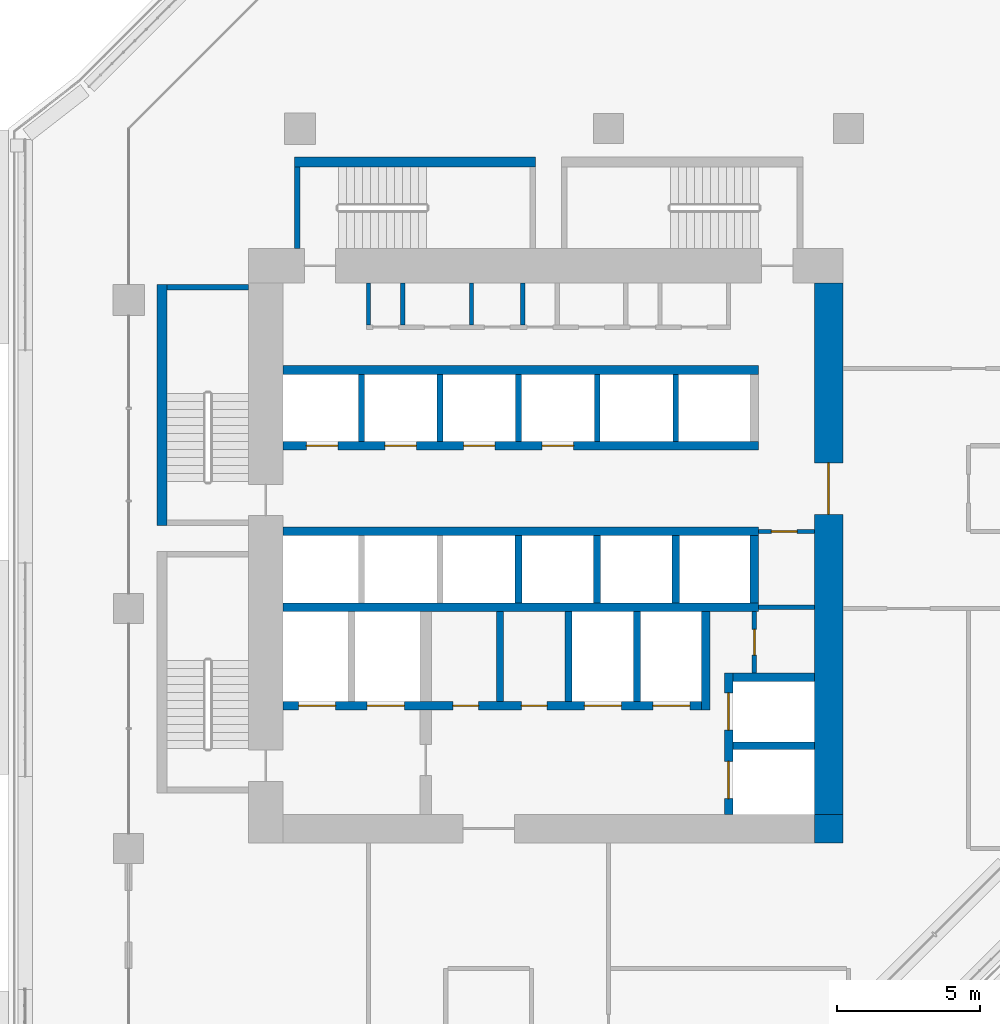
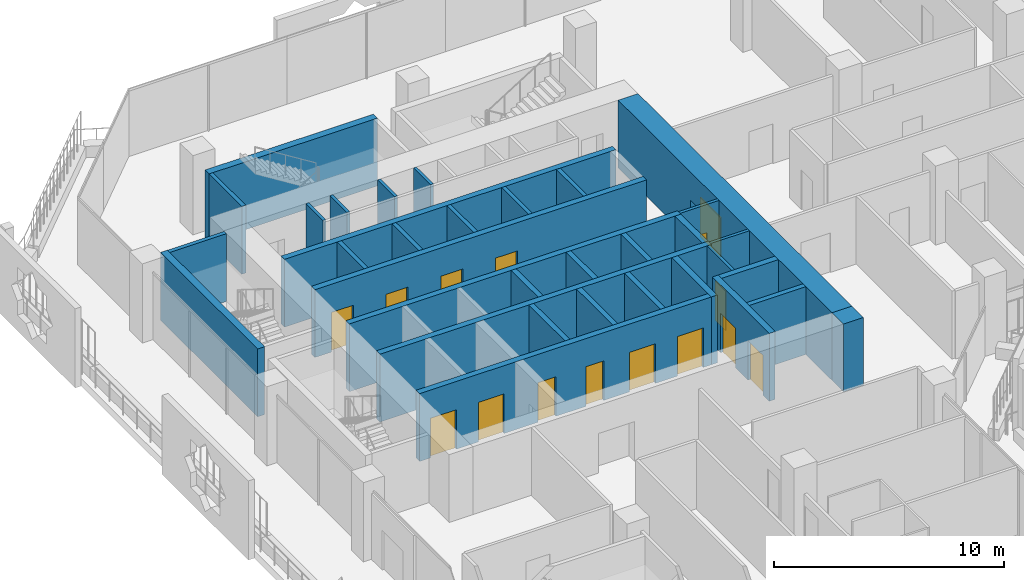
# One storey, part 14 of 25: 34 walls, 15 doors, 15 openings.
"""IFC4 building model written with IfcOpenShell, lengths in metres."""

import ifcopenshell
import ifcopenshell.guid

model = None  # the IFC model being written
_history = None  # IfcOwnerHistory: only IFC2X3 demands one
_inside = {}  # id of a spatial element -> (the spatial element, [elements in it])
_under = {}  # id of a project, library or spatial element -> (it, [spatial elements below it])
_declared = {}  # id of a project -> (the project, [libraries it declares])
_typed = {}  # id of a type object -> (the type object, [elements of that type])
_made_of = {}  # id of a material, layer set ... -> (it, [elements and type objects made of it])


def new_model(schema):
    """Start an empty IFC model of exactly this schema.

    Asked for "IFC4X3", IfcOpenShell would pick the latest addendum, in which some entities
    have other attributes; the version numbers below select the first issue.
    IFC2X3 requires an IfcOwnerHistory on every rooted entity: one is made here for all.
    """
    global model, _history
    if schema == "IFC4X3":
        model = ifcopenshell.file(schema_version=(4, 3, 0, 0))
    else:
        model = ifcopenshell.file(schema=schema)
    _inside.clear()
    _under.clear()
    _declared.clear()
    _typed.clear()
    _made_of.clear()
    _history = None
    if model.schema == "IFC2X3":
        org = make("IfcOrganization", Name="unknown")
        user = make(
            "IfcPersonAndOrganization",
            ThePerson=make("IfcPerson", FamilyName="unknown"),
            TheOrganization=org,
        )
        app = make(
            "IfcApplication",
            ApplicationDeveloper=org,
            Version="unknown",
            ApplicationFullName="unknown",
            ApplicationIdentifier="unknown",
        )
        _history = make(
            "IfcOwnerHistory",
            OwningUser=user,
            OwningApplication=app,
            ChangeAction="ADDED",
            CreationDate=0,
        )
    return model


def make(cls, **values):
    """One entity of the class cls with the attributes given. An attribute that is None is left unset."""
    return model.create_entity(
        cls, **{name: value for name, value in values.items() if value is not None}
    )


def rooted(cls, **values):
    """An entity with a GlobalId (a new one), such as an element, a storey or a relation."""
    return make(cls, GlobalId=ifcopenshell.guid.new(), OwnerHistory=_history, **values)


def si_unit(unit_type, name, prefix=None):
    """IfcSIUnit, for example si_unit("LENGTHUNIT", "METRE", prefix="MILLI")."""
    return make("IfcSIUnit", UnitType=unit_type, Prefix=prefix, Name=name)


def assignment(units):
    """IfcUnitAssignment: the units of a project."""
    return None if units is None else make("IfcUnitAssignment", Units=units)


def point(xyz):
    """IfcCartesianPoint."""
    return None if xyz is None else make("IfcCartesianPoint", Coordinates=xyz)


def direction(xyz):
    """IfcDirection."""
    return None if xyz is None else make("IfcDirection", DirectionRatios=xyz)


def frame(location, z_axis=None, x_axis=None):
    """IfcAxis2Placement3D, a coordinate frame: its origin and axes. An axis left out is left unset."""
    return make(
        "IfcAxis2Placement3D",
        Location=point(location),
        Axis=direction(z_axis),
        RefDirection=direction(x_axis),
    )


def frame_2d(location, x_axis=None):
    """IfcAxis2Placement2D, a coordinate frame in the plane: its origin and x axis."""
    return make(
        "IfcAxis2Placement2D", Location=point(location), RefDirection=direction(x_axis)
    )


def origin():
    """The frame at (0, 0, 0) with its axes left unset."""
    return frame((0.0, 0.0, 0.0))


def place(relative_to, where):
    """IfcLocalPlacement: puts the frame where relative to a parent placement (None: the world)."""
    return make(
        "IfcLocalPlacement", PlacementRelTo=relative_to, RelativePlacement=where
    )


def context(
    kind, dimensions, precision=None, world=None, true_north=None, identifier=None
):
    """IfcGeometricRepresentationContext, for example the 3D "Model" context."""
    return make(
        "IfcGeometricRepresentationContext",
        ContextIdentifier=identifier,
        ContextType=kind,
        CoordinateSpaceDimension=dimensions,
        Precision=precision,
        WorldCoordinateSystem=world,
        TrueNorth=true_north,
    )


def subcontext(parent, identifier, kind, view, scale=None):
    """IfcGeometricRepresentationSubContext, for example "Body" below "Model"."""
    return make(
        "IfcGeometricRepresentationSubContext",
        ContextIdentifier=identifier,
        ContextType=kind,
        ParentContext=parent,
        TargetScale=scale,
        TargetView=view,
    )


def project(units=None, contexts=None):
    """IfcProject with its units and contexts."""
    return rooted(
        "IfcProject",
        Name="project",
        RepresentationContexts=contexts,
        UnitsInContext=assignment(units),
    )


def spatial(cls, under=None, at=None, **own):
    """A site, building, storey or space (cls), placed at a placement, below another one or the project."""
    s = rooted(cls, ObjectPlacement=at, **own)
    if under is not None:
        _under.setdefault(under.id(), (under, []))[1].append(s)
    return s


def profile(cls, at=None, kind="AREA", **sizes):
    """A parametric profile (cls). Its sizes go by their IFC names, for example OverallWidth=200.0."""
    return make(cls, ProfileType=kind, Position=at, **sizes)


def rectangle(**sizes):
    """IfcRectangleProfileDef."""
    return profile("IfcRectangleProfileDef", **sizes)


def extrude(swept, where, along, depth):
    """IfcExtrudedAreaSolid: the profile swept, set in the frame where, extruded along a direction by depth."""
    return make(
        "IfcExtrudedAreaSolid",
        SweptArea=swept,
        Position=where,
        ExtrudedDirection=direction(along),
        Depth=depth,
    )


def shape(context_of_items, identifier, shape_type, items):
    """IfcShapeRepresentation: the items that make up one representation, for example the "Body"."""
    return make(
        "IfcShapeRepresentation",
        ContextOfItems=context_of_items,
        RepresentationIdentifier=identifier,
        RepresentationType=shape_type,
        Items=items,
    )


def material(Name=None, Category=None):
    """IfcMaterial."""
    return make("IfcMaterial", Name=Name, Category=Category)


def layer(
    of_material, thickness, ventilated=None, Name=None, Category=None, Priority=None
):
    """IfcMaterialLayer: one layer of a wall or slab, of a material (None: an air gap)."""
    return make(
        "IfcMaterialLayer",
        Material=of_material,
        LayerThickness=thickness,
        IsVentilated=ventilated,
        Name=Name,
        Category=Category,
        Priority=Priority,
    )


def layer_set(layers, Name=None):
    """IfcMaterialLayerSet."""
    return make("IfcMaterialLayerSet", MaterialLayers=layers, LayerSetName=Name)


def made_of(thing, what):
    """Note that an element or type object is made of a material, layer set ...; save() writes the relation."""
    if what is not None:
        _made_of.setdefault(what.id(), (what, []))[1].append(thing)
    return thing


def type_object(cls, material=None, **own):
    """A type object (cls), such as IfcWallType, which elements share."""
    return made_of(rooted(cls, **own), material)


def element(
    cls,
    number,
    at=None,
    inside=None,
    cuts=None,
    type_object=None,
    material=None,
    context=None,
    identifier="Body",
    shape_type=None,
    held_by="IfcProductDefinitionShape",
    body=None,
    shapes=None,
    **own,
):
    """One element of the class cls, such as IfcWall. Its Tag is "e" and its number.

    at: its placement. inside: the storey or other place that contains it. cuts: it is an
    opening in that element (IfcRelVoidsElement). A single representation is given by context,
    identifier, shape_type and body (its items); several are given by shapes. held_by: the class
    of the entity that holds the representations. save() writes the other relations.
    """
    e = rooted(cls, Tag="e%d" % number, ObjectPlacement=at, **own)
    if body is not None:
        shapes = [shape(context, identifier, shape_type, body)]
    if shapes is not None:
        e.Representation = make(held_by, Representations=shapes)
    if inside is not None:
        _inside.setdefault(inside.id(), (inside, []))[1].append(e)
    if cuts is not None:
        rooted(
            "IfcRelVoidsElement", RelatingBuildingElement=cuts, RelatedOpeningElement=e
        )
    if type_object is not None:
        _typed.setdefault(type_object.id(), (type_object, []))[1].append(e)
    return made_of(e, material)


def fill(opening, filler):
    """IfcRelFillsElement: the door or window that sits in an opening."""
    return rooted(
        "IfcRelFillsElement",
        RelatingOpeningElement=opening,
        RelatedBuildingElement=filler,
    )


def aggregate(whole, parts):
    """IfcRelAggregates: a whole, such as a stair, and the parts it consists of."""
    return rooted("IfcRelAggregates", RelatingObject=whole, RelatedObjects=parts)


def save(model, path):
    """Write the relations noted so far, then the file.

    IfcRelAggregates (storeys below a building ...), IfcRelContainedInSpatialStructure (elements
    in a storey), IfcRelDefinesByType, IfcRelAssociatesMaterial and IfcRelDeclares: one each for
    every whole, place, type object, material and project.
    """
    for whole, parts in _under.values():
        aggregate(whole, parts)
    for where, things in _inside.values():
        rooted(
            "IfcRelContainedInSpatialStructure",
            RelatedElements=things,
            RelatingStructure=where,
        )
    for kind, things in _typed.values():
        rooted("IfcRelDefinesByType", RelatedObjects=things, RelatingType=kind)
    for what, things in _made_of.values():
        rooted("IfcRelAssociatesMaterial", RelatedObjects=things, RelatingMaterial=what)
    for by, libraries in _declared.values():
        rooted("IfcRelDeclares", RelatingContext=by, RelatedDefinitions=libraries)
    model.write(path)


model = new_model("IFC4")

# Units and contexts
model_context = context("Model", 3, precision=1e-05, world=origin(), true_north=direction((0.0, 1.0)))
body_context = subcontext(model_context, "Body", "Model", "MODEL_VIEW")
ifc_project = project(units=[si_unit("LENGTHUNIT", "METRE"), si_unit("AREAUNIT", "SQUARE_METRE"), si_unit("VOLUMEUNIT", "CUBIC_METRE"), si_unit("PLANEANGLEUNIT", "RADIAN"), si_unit("MASSUNIT", "GRAM", prefix="KILO")], contexts=[model_context])

# Site, building, storey
site_placement = place(None, origin())
site = spatial("IfcSite", under=ifc_project, at=site_placement, CompositionType="ELEMENT")
building_placement = place(site_placement, origin())
building = spatial("IfcBuilding", under=site, at=building_placement, Name="Kawkab Arch Medical Tower", CompositionType="ELEMENT")
storey_placement = place(building_placement, frame((0.0, 0.0, 132.39990234375)))
storey = spatial("IfcBuildingStorey", under=building, at=storey_placement, Name="L30", CompositionType="ELEMENT", Elevation=132.39990234375)

# Wall, opening, door
ifc_material_1 = material(Name="Concrete C60/75", Category="concrete")
ifc_layer_1 = layer(ifc_material_1, 1.0)
ifc_layer_set_1 = layer_set([ifc_layer_1], Name="Concrete C60/75")
wall_type_1 = type_object("IfcWallType", Name="Core ring wall 1000 C60/75", PredefinedType="SHEAR", material=ifc_layer_set_1)
wall_1_placement = place(storey_placement, frame((24.5, -24.0, 0.0), z_axis=(0.0, 0.0, 1.0), x_axis=(0.0, 1.0, 0.0)))
wall_1 = element("IfcWall", 1, at=wall_1_placement, inside=storey, type_object=wall_type_1, Name="L30 core wall", PredefinedType="SHEAR", context=body_context, shape_type="SweptSolid", body=[
    extrude(rectangle(XDim=18.60009765625, YDim=1.0, at=frame_2d((9.300048828125, 0.0))), origin(), (0.0, 0.0, 1.0), 3.60009765625),
])
opening_1_placement = place(wall_1_placement, frame((10.5, 0.0, 0.0)))
opening_1 = element("IfcOpeningElement", 2, at=opening_1_placement, cuts=wall_1, Name="Opening PD", PredefinedType="OPENING", context=body_context, shape_type="SweptSolid", body=[
    extrude(rectangle(XDim=1.800048828125, YDim=2.10009765625, at=frame_2d((0.89990234375, 1.050048828125))), frame((0.0, 0.510009765625, 0.0), z_axis=(0.0, -1.0, 0.0), x_axis=(1.0, 0.0, 0.0)), (0.0, 0.0, 1.0), 1.02001953125),
])
ifc_material_2 = material(Name="Hollow metal fire door leaf")
door_type_1 = type_object("IfcDoorType", Name="Core entrance doors 1800", OperationType="DOUBLE_DOOR_SINGLE_SWING", PredefinedType="DOOR", material=ifc_material_2)
door_1_placement = place(opening_1_placement, origin())
door_1 = element("IfcDoor", 3, at=door_1_placement, inside=storey, type_object=door_type_1, Name="L30 East entrance doors", OperationType="DOUBLE_DOOR_SINGLE_SWING", OverallHeight=2.10009765625, OverallWidth=1.800048828125, PredefinedType="DOOR", context=body_context, shape_type="SweptSolid", body=[
    extrude(rectangle(XDim=1.800048828125, YDim=2.10009765625, at=frame_2d((0.89990234375, 1.050048828125))), frame((0.0, 0.02490234375, 0.0), z_axis=(0.0, -1.0, 0.0), x_axis=(1.0, 0.0, 0.0)), (0.0, 0.0, 1.0), 0.050048828125),
])
fill(opening_1, door_1)

# Wall
wall_2_placement = place(storey_placement, frame((24.5, -25.0, 0.0), z_axis=(0.0, 0.0, 1.0), x_axis=(0.0, 1.0, 0.0)))
element("IfcWall", 4, at=wall_2_placement, inside=storey, type_object=wall_type_1, Name="L30 core wall", PredefinedType="SHEAR", context=body_context, shape_type="SweptSolid", body=[
    extrude(rectangle(XDim=1.0, YDim=1.0, at=frame_2d((0.5, 0.0))), origin(), (0.0, 0.0, 1.0), 3.60009765625),
])

# Wall, opening, door
ifc_material_3 = material(Name="Gypsum board on steel studs", Category="steel")
ifc_layer_2 = layer(ifc_material_3, 0.14990234375)
ifc_layer_set_2 = layer_set([ifc_layer_2], Name="Gypsum board on steel studs")
wall_type_2 = type_object("IfcWallType", Name="Core room partition 150", PredefinedType="PARTITIONING", material=ifc_layer_set_2)
wall_3_placement = place(storey_placement, frame((21.89990234375, -19.050048828125, 0.0), z_axis=(0.0, 0.0, 1.0), x_axis=(0.0, 1.0, 0.0)))
wall_3 = element("IfcWall", 5, at=wall_3_placement, inside=storey, type_object=wall_type_2, Name="L30 core room partition", PredefinedType="PARTITIONING", context=body_context, shape_type="SweptSolid", body=[
    extrude(rectangle(XDim=2.150146484375, YDim=0.14990234375, at=frame_2d((1.0751953125, 0.0))), origin(), (0.0, 0.0, 1.0), 3.60009765625),
])
opening_2_placement = place(wall_3_placement, frame((0.625, 0.0, 0.0)))
opening_2 = element("IfcOpeningElement", 6, at=opening_2_placement, cuts=wall_3, Name="Opening RD", PredefinedType="OPENING", context=body_context, shape_type="SweptSolid", body=[
    extrude(rectangle(XDim=0.89990234375, YDim=2.10009765625, at=frame_2d((0.449951171875, 1.050048828125))), frame((0.0, 0.0849609375, 0.0), z_axis=(0.0, -1.0, 0.0), x_axis=(1.0, 0.0, 0.0)), (0.0, 0.0, 1.0), 0.169921875),
])
ifc_material_4 = material(Name="Hollow metal fire door leaf")
door_type_2 = type_object("IfcDoorType", Name="Core room door 900", OperationType="SINGLE_SWING_LEFT", PredefinedType="DOOR", material=ifc_material_4)
door_2_placement = place(opening_2_placement, origin())
door_2 = element("IfcDoor", 7, at=door_2_placement, inside=storey, type_object=door_type_2, Name="L30 Staff WC door", OperationType="SINGLE_SWING_LEFT", OverallHeight=2.10009765625, OverallWidth=0.89990234375, PredefinedType="DOOR", context=body_context, shape_type="SweptSolid", body=[
    extrude(rectangle(XDim=0.89990234375, YDim=2.10009765625, at=frame_2d((0.449951171875, 1.050048828125))), frame((0.0, 0.02490234375, 0.0), z_axis=(0.0, -1.0, 0.0), x_axis=(1.0, 0.0, 0.0)), (0.0, 0.0, 1.0), 0.050048828125),
])
fill(opening_2, door_2)

# Wall
wall_4_placement = place(storey_placement, frame((22.050048828125, -16.75, 0.0), z_axis=(0.0, 0.0, 1.0), x_axis=(1.0, 0.0, 0.0)))
element("IfcWall", 8, at=wall_4_placement, inside=storey, type_object=wall_type_2, Name="L30 core room partition", PredefinedType="PARTITIONING", context=body_context, shape_type="SweptSolid", body=[
    extrude(rectangle(XDim=1.949951171875, YDim=0.14990234375, at=frame_2d((0.97509765625, 0.0))), origin(), (0.0, 0.0, 1.0), 3.60009765625),
])

# Wall, opening, door
wall_5_placement = place(storey_placement, frame((22.050048828125, -14.10009765625, 0.0), z_axis=(0.0, 0.0, 1.0), x_axis=(1.0, 0.0, 0.0)))
wall_5 = element("IfcWall", 9, at=wall_5_placement, inside=storey, type_object=wall_type_2, Name="L30 core room partition", PredefinedType="PARTITIONING", context=body_context, shape_type="SweptSolid", body=[
    extrude(rectangle(XDim=1.949951171875, YDim=0.14990234375, at=frame_2d((0.97509765625, 0.0))), origin(), (0.0, 0.0, 1.0), 3.60009765625),
])
opening_3_placement = place(wall_5_placement, frame((0.449951171875, 0.0, 0.0)))
opening_3 = element("IfcOpeningElement", 10, at=opening_3_placement, cuts=wall_5, Name="Opening RD", PredefinedType="OPENING", context=body_context, shape_type="SweptSolid", body=[
    extrude(rectangle(XDim=0.89990234375, YDim=2.10009765625, at=frame_2d((0.449951171875, 1.050048828125))), frame((0.0, 0.0849609375, 0.0), z_axis=(0.0, -1.0, 0.0), x_axis=(1.0, 0.0, 0.0)), (0.0, 0.0, 1.0), 0.169921875),
])
door_3_placement = place(opening_3_placement, origin())
door_3 = element("IfcDoor", 11, at=door_3_placement, inside=storey, type_object=door_type_2, Name="L30 Linen store door", OperationType="SINGLE_SWING_LEFT", OverallHeight=2.10009765625, OverallWidth=0.89990234375, PredefinedType="DOOR", context=body_context, shape_type="SweptSolid", body=[
    extrude(rectangle(XDim=0.89990234375, YDim=2.10009765625, at=frame_2d((0.449951171875, 1.050048828125))), frame((0.0, 0.02490234375, 0.0), z_axis=(0.0, -1.0, 0.0), x_axis=(1.0, 0.0, 0.0)), (0.0, 0.0, 1.0), 0.050048828125),
])
fill(opening_3, door_3)

# Walls
for number, where, z_axis, x_axis, name in (
    (12, (8.39990234375, -6.875, 0.0), (0.0, 0.0, 1.0), (0.0, 1.0, 0.0), "L30 core room partition"),
    (13, (9.60009765625, -6.875, 0.0), (0.0, 0.0, 1.0), (0.0, 1.0, 0.0), "L30 core room partition"),
    (14, (12.0, -6.875, 0.0), (0.0, 0.0, 1.0), (0.0, 1.0, 0.0), "L30 core room partition"),
    (15, (13.800048828125, -6.875, 0.0), (0.0, 0.0, 1.0), (0.0, 1.0, 0.0), "L30 core room partition"),
):
    element("IfcWall", number, at=place(storey_placement, frame(where, z_axis=z_axis, x_axis=x_axis)), inside=storey, type_object=wall_type_2, Name=name, PredefinedType="PARTITIONING", context=body_context, shape_type="SweptSolid", body=[
        extrude(rectangle(XDim=1.47509765625, YDim=0.14990234375, at=frame_2d((0.737548828125, 0.0))), origin(), (0.0, 0.0, 1.0), 3.60009765625),
    ])
ifc_material_5 = material(Name="Concrete C60/75", Category="concrete")
ifc_layer_3 = layer(ifc_material_5, 0.25)
ifc_layer_set_3 = layer_set([ifc_layer_3], Name="Concrete C60/75")
wall_type_3 = type_object("IfcWallType", Name="Core shear wall 250 C60/75", PredefinedType="SHEAR", material=ifc_layer_set_3)
wall_6_placement = place(storey_placement, frame((21.14990234375, -21.60009765625, 0.0), z_axis=(0.0, 0.0, 1.0), x_axis=(1.0, 0.0, 0.0)))
element("IfcWall", 16, at=wall_6_placement, inside=storey, type_object=wall_type_3, Name="L30 core shear wall", PredefinedType="SHEAR", context=body_context, shape_type="SweptSolid", body=[
    extrude(rectangle(XDim=2.85009765625, YDim=0.25, at=frame_2d((1.425048828125, 0.0))), origin(), (0.0, 0.0, 1.0), 3.60009765625),
])
for number, where, z_axis, x_axis, name in (
    (17, (13.0, -20.050048828125, 0.0), (0.0, 0.0, 1.0), (0.0, 1.0, 0.0), "L30 core shear wall"),
    (18, (15.39990234375, -20.050048828125, 0.0), (0.0, 0.0, 1.0), (0.0, 1.0, 0.0), "L30 core shear wall"),
    (19, (17.800048828125, -20.050048828125, 0.0), (0.0, 0.0, 1.0), (0.0, 1.0, 0.0), "L30 core shear wall"),
):
    element("IfcWall", number, at=place(storey_placement, frame(where, z_axis=z_axis, x_axis=x_axis)), inside=storey, type_object=wall_type_3, Name=name, PredefinedType="SHEAR", context=body_context, shape_type="SweptSolid", body=[
        extrude(rectangle(XDim=3.150146484375, YDim=0.25, at=frame_2d((1.5751953125, 0.0))), origin(), (0.0, 0.0, 1.0), 3.60009765625),
    ])
for number, where, z_axis, x_axis, name in (
    (20, (13.64990234375, -16.60009765625, 0.0), (0.0, 0.0, 1.0), (0.0, 1.0, 0.0), "L30 core shear wall"),
    (21, (16.39990234375, -16.60009765625, 0.0), (0.0, 0.0, 1.0), (0.0, 1.0, 0.0), "L30 core shear wall"),
    (22, (19.14990234375, -16.60009765625, 0.0), (0.0, 0.0, 1.0), (0.0, 1.0, 0.0), "L30 core shear wall"),
):
    element("IfcWall", number, at=place(storey_placement, frame(where, z_axis=z_axis, x_axis=x_axis)), inside=storey, type_object=wall_type_3, Name=name, PredefinedType="SHEAR", context=body_context, shape_type="SweptSolid", body=[
        extrude(rectangle(XDim=2.35009765625, YDim=0.25, at=frame_2d((1.175048828125, 0.0))), origin(), (0.0, 0.0, 1.0), 3.60009765625),
    ])
ifc_material_6 = material(Name="Concrete C60/75", Category="concrete")
ifc_layer_4 = layer(ifc_material_6, 0.300048828125)
ifc_layer_set_4 = layer_set([ifc_layer_4], Name="Concrete C60/75")
wall_type_4 = type_object("IfcWallType", Name="Core shear wall 300 C60/75", PredefinedType="SHEAR", material=ifc_layer_set_4)
wall_7_placement = place(storey_placement, frame((5.39990234375, -8.449951171875, 0.0), z_axis=(0.0, 0.0, 1.0), x_axis=(1.0, 0.0, 0.0)))
element("IfcWall", 23, at=wall_7_placement, inside=storey, type_object=wall_type_4, Name="L30 core shear wall", PredefinedType="SHEAR", context=body_context, shape_type="SweptSolid", body=[
    extrude(rectangle(XDim=16.650146484375, YDim=0.300048828125, at=frame_2d((8.3251953125, 0.0))), origin(), (0.0, 0.0, 1.0), 3.60009765625),
])

# Wall, openings, doors
wall_8_placement = place(storey_placement, frame((5.39990234375, -11.10009765625, 0.0), z_axis=(0.0, 0.0, 1.0), x_axis=(1.0, 0.0, 0.0)))
wall_8 = element("IfcWall", 24, at=wall_8_placement, inside=storey, type_object=wall_type_4, Name="L30 core shear wall", PredefinedType="SHEAR", context=body_context, shape_type="SweptSolid", body=[
    extrude(rectangle(XDim=16.650146484375, YDim=0.300048828125, at=frame_2d((8.3251953125, 0.0))), origin(), (0.0, 0.0, 1.0), 3.60009765625),
])
opening_4_placement = place(wall_8_placement, frame((0.824951171875, 0.0, 0.0)))
opening_4 = element("IfcOpeningElement", 25, at=opening_4_placement, cuts=wall_8, Name="Opening LD1", PredefinedType="OPENING", context=body_context, shape_type="SweptSolid", body=[
    extrude(rectangle(XDim=1.10009765625, YDim=2.10009765625, at=frame_2d((0.550048828125, 1.050048828125))), frame((0.0, 0.159912109375, 0.0), z_axis=(0.0, -1.0, 0.0), x_axis=(1.0, 0.0, 0.0)), (0.0, 0.0, 1.0), 0.320068359375),
])
opening_5_placement = place(wall_8_placement, frame((3.574951171875, 0.0, 0.0)))
opening_5 = element("IfcOpeningElement", 26, at=opening_5_placement, cuts=wall_8, Name="Opening LD1", PredefinedType="OPENING", context=body_context, shape_type="SweptSolid", body=[
    extrude(rectangle(XDim=1.10009765625, YDim=2.10009765625, at=frame_2d((0.550048828125, 1.050048828125))), frame((0.0, 0.159912109375, 0.0), z_axis=(0.0, -1.0, 0.0), x_axis=(1.0, 0.0, 0.0)), (0.0, 0.0, 1.0), 0.320068359375),
])
opening_6_placement = place(wall_8_placement, frame((6.324951171875, 0.0, 0.0)))
opening_6 = element("IfcOpeningElement", 27, at=opening_6_placement, cuts=wall_8, Name="Opening LD1", PredefinedType="OPENING", context=body_context, shape_type="SweptSolid", body=[
    extrude(rectangle(XDim=1.10009765625, YDim=2.10009765625, at=frame_2d((0.550048828125, 1.050048828125))), frame((0.0, 0.159912109375, 0.0), z_axis=(0.0, -1.0, 0.0), x_axis=(1.0, 0.0, 0.0)), (0.0, 0.0, 1.0), 0.320068359375),
])
opening_7_placement = place(wall_8_placement, frame((9.074951171875, 0.0, 0.0)))
opening_7 = element("IfcOpeningElement", 28, at=opening_7_placement, cuts=wall_8, Name="Opening LD1", PredefinedType="OPENING", context=body_context, shape_type="SweptSolid", body=[
    extrude(rectangle(XDim=1.10009765625, YDim=2.10009765625, at=frame_2d((0.550048828125, 1.050048828125))), frame((0.0, 0.159912109375, 0.0), z_axis=(0.0, -1.0, 0.0), x_axis=(1.0, 0.0, 0.0)), (0.0, 0.0, 1.0), 0.320068359375),
])
ifc_material_7 = material(Name="Stainless steel lift door leaf", Category="steel")
door_type_3 = type_object("IfcDoorType", Name="Lift landing door 1100", OperationType="DOUBLE_DOOR_SLIDING", PredefinedType="DOOR", material=ifc_material_7)
door_4_placement = place(opening_4_placement, origin())
door_4 = element("IfcDoor", 29, at=door_4_placement, inside=storey, type_object=door_type_3, Name="L30 Lift landing door LP1", OperationType="DOUBLE_DOOR_SLIDING", OverallHeight=2.10009765625, OverallWidth=1.10009765625, PredefinedType="DOOR", context=body_context, shape_type="SweptSolid", body=[
    extrude(rectangle(XDim=1.10009765625, YDim=2.10009765625, at=frame_2d((0.550048828125, 1.050048828125))), frame((0.0, 0.02490234375, 0.0), z_axis=(0.0, -1.0, 0.0), x_axis=(1.0, 0.0, 0.0)), (0.0, 0.0, 1.0), 0.050048828125),
])
fill(opening_4, door_4)
door_5_placement = place(opening_5_placement, origin())
door_5 = element("IfcDoor", 30, at=door_5_placement, inside=storey, type_object=door_type_3, Name="L30 Lift landing door LP2", OperationType="DOUBLE_DOOR_SLIDING", OverallHeight=2.10009765625, OverallWidth=1.10009765625, PredefinedType="DOOR", context=body_context, shape_type="SweptSolid", body=[
    extrude(rectangle(XDim=1.10009765625, YDim=2.10009765625, at=frame_2d((0.550048828125, 1.050048828125))), frame((0.0, 0.02490234375, 0.0), z_axis=(0.0, -1.0, 0.0), x_axis=(1.0, 0.0, 0.0)), (0.0, 0.0, 1.0), 0.050048828125),
])
fill(opening_5, door_5)
door_6_placement = place(opening_6_placement, origin())
door_6 = element("IfcDoor", 31, at=door_6_placement, inside=storey, type_object=door_type_3, Name="L30 Lift landing door LP3", OperationType="DOUBLE_DOOR_SLIDING", OverallHeight=2.10009765625, OverallWidth=1.10009765625, PredefinedType="DOOR", context=body_context, shape_type="SweptSolid", body=[
    extrude(rectangle(XDim=1.10009765625, YDim=2.10009765625, at=frame_2d((0.550048828125, 1.050048828125))), frame((0.0, 0.02490234375, 0.0), z_axis=(0.0, -1.0, 0.0), x_axis=(1.0, 0.0, 0.0)), (0.0, 0.0, 1.0), 0.050048828125),
])
fill(opening_6, door_6)
door_7_placement = place(opening_7_placement, origin())
door_7 = element("IfcDoor", 32, at=door_7_placement, inside=storey, type_object=door_type_3, Name="L30 Lift landing door LP4", OperationType="DOUBLE_DOOR_SLIDING", OverallHeight=2.10009765625, OverallWidth=1.10009765625, PredefinedType="DOOR", context=body_context, shape_type="SweptSolid", body=[
    extrude(rectangle(XDim=1.10009765625, YDim=2.10009765625, at=frame_2d((0.550048828125, 1.050048828125))), frame((0.0, 0.02490234375, 0.0), z_axis=(0.0, -1.0, 0.0), x_axis=(1.0, 0.0, 0.0)), (0.0, 0.0, 1.0), 0.050048828125),
])
fill(opening_7, door_7)

# Walls
for number, where, z_axis, x_axis, name in (
    (33, (5.39990234375, -14.10009765625, 0.0), (0.0, 0.0, 1.0), (1.0, 0.0, 0.0), "L30 core shear wall"),
    (34, (5.39990234375, -16.75, 0.0), (0.0, 0.0, 1.0), (1.0, 0.0, 0.0), "L30 core shear wall"),
):
    element("IfcWall", number, at=place(storey_placement, frame(where, z_axis=z_axis, x_axis=x_axis)), inside=storey, type_object=wall_type_4, Name=name, PredefinedType="SHEAR", context=body_context, shape_type="SweptSolid", body=[
        extrude(rectangle(XDim=16.650146484375, YDim=0.300048828125, at=frame_2d((8.3251953125, 0.0))), origin(), (0.0, 0.0, 1.0), 3.60009765625),
    ])

# Wall, openings, doors
wall_9_placement = place(storey_placement, frame((5.39990234375, -20.199951171875, 0.0), z_axis=(0.0, 0.0, 1.0), x_axis=(1.0, 0.0, 0.0)))
wall_9 = element("IfcWall", 35, at=wall_9_placement, inside=storey, type_object=wall_type_4, Name="L30 core shear wall", PredefinedType="SHEAR", context=body_context, shape_type="SweptSolid", body=[
    extrude(rectangle(XDim=14.650146484375, YDim=0.300048828125, at=frame_2d((7.3251953125, 0.0))), origin(), (0.0, 0.0, 1.0), 3.60009765625),
])
opening_8_placement = place(wall_9_placement, frame((10.550048828125, 0.0, 0.0)))
opening_8 = element("IfcOpeningElement", 36, at=opening_8_placement, cuts=wall_9, Name="Opening LD2", PredefinedType="OPENING", context=body_context, shape_type="SweptSolid", body=[
    extrude(rectangle(XDim=1.300048828125, YDim=2.10009765625, at=frame_2d((0.64990234375, 1.050048828125))), frame((0.0, 0.159912109375, 0.0), z_axis=(0.0, -1.0, 0.0), x_axis=(1.0, 0.0, 0.0)), (0.0, 0.0, 1.0), 0.320068359375),
])
opening_9_placement = place(wall_9_placement, frame((12.949951171875, 0.0, 0.0)))
opening_9 = element("IfcOpeningElement", 37, at=opening_9_placement, cuts=wall_9, Name="Opening LD2", PredefinedType="OPENING", context=body_context, shape_type="SweptSolid", body=[
    extrude(rectangle(XDim=1.300048828125, YDim=2.10009765625, at=frame_2d((0.64990234375, 1.050048828125))), frame((0.0, 0.159912109375, 0.0), z_axis=(0.0, -1.0, 0.0), x_axis=(1.0, 0.0, 0.0)), (0.0, 0.0, 1.0), 0.320068359375),
])
opening_10_placement = place(wall_9_placement, frame((0.550048828125, 0.0, 0.0)))
opening_10 = element("IfcOpeningElement", 38, at=opening_10_placement, cuts=wall_9, Name="Opening LD2", PredefinedType="OPENING", context=body_context, shape_type="SweptSolid", body=[
    extrude(rectangle(XDim=1.300048828125, YDim=2.10009765625, at=frame_2d((0.64990234375, 1.050048828125))), frame((0.0, 0.159912109375, 0.0), z_axis=(0.0, -1.0, 0.0), x_axis=(1.0, 0.0, 0.0)), (0.0, 0.0, 1.0), 0.320068359375),
])
opening_11_placement = place(wall_9_placement, frame((2.949951171875, 0.0, 0.0)))
opening_11 = element("IfcOpeningElement", 39, at=opening_11_placement, cuts=wall_9, Name="Opening LD2", PredefinedType="OPENING", context=body_context, shape_type="SweptSolid", body=[
    extrude(rectangle(XDim=1.300048828125, YDim=2.10009765625, at=frame_2d((0.64990234375, 1.050048828125))), frame((0.0, 0.159912109375, 0.0), z_axis=(0.0, -1.0, 0.0), x_axis=(1.0, 0.0, 0.0)), (0.0, 0.0, 1.0), 0.320068359375),
])
opening_12_placement = place(wall_9_placement, frame((5.949951171875, 0.0, 0.0)))
opening_12 = element("IfcOpeningElement", 40, at=opening_12_placement, cuts=wall_9, Name="Opening RD", PredefinedType="OPENING", context=body_context, shape_type="SweptSolid", body=[
    extrude(rectangle(XDim=0.89990234375, YDim=2.10009765625, at=frame_2d((0.449951171875, 1.050048828125))), frame((0.0, 0.159912109375, 0.0), z_axis=(0.0, -1.0, 0.0), x_axis=(1.0, 0.0, 0.0)), (0.0, 0.0, 1.0), 0.320068359375),
])
opening_13_placement = place(wall_9_placement, frame((8.35009765625, 0.0, 0.0)))
opening_13 = element("IfcOpeningElement", 41, at=opening_13_placement, cuts=wall_9, Name="Opening RD", PredefinedType="OPENING", context=body_context, shape_type="SweptSolid", body=[
    extrude(rectangle(XDim=0.89990234375, YDim=2.10009765625, at=frame_2d((0.449951171875, 1.050048828125))), frame((0.0, 0.159912109375, 0.0), z_axis=(0.0, -1.0, 0.0), x_axis=(1.0, 0.0, 0.0)), (0.0, 0.0, 1.0), 0.320068359375),
])
door_8_placement = place(opening_12_placement, origin())
door_8 = element("IfcDoor", 42, at=door_8_placement, inside=storey, type_object=door_type_2, Name="L30 Clean utility room door", OperationType="SINGLE_SWING_LEFT", OverallHeight=2.10009765625, OverallWidth=0.89990234375, PredefinedType="DOOR", context=body_context, shape_type="SweptSolid", body=[
    extrude(rectangle(XDim=0.89990234375, YDim=2.10009765625, at=frame_2d((0.449951171875, 1.050048828125))), frame((0.0, 0.02490234375, 0.0), z_axis=(0.0, -1.0, 0.0), x_axis=(1.0, 0.0, 0.0)), (0.0, 0.0, 1.0), 0.050048828125),
])
fill(opening_12, door_8)
door_9_placement = place(opening_13_placement, origin())
door_9 = element("IfcDoor", 43, at=door_9_placement, inside=storey, type_object=door_type_2, Name="L30 Dirty utility room door", OperationType="SINGLE_SWING_LEFT", OverallHeight=2.10009765625, OverallWidth=0.89990234375, PredefinedType="DOOR", context=body_context, shape_type="SweptSolid", body=[
    extrude(rectangle(XDim=0.89990234375, YDim=2.10009765625, at=frame_2d((0.449951171875, 1.050048828125))), frame((0.0, 0.02490234375, 0.0), z_axis=(0.0, -1.0, 0.0), x_axis=(1.0, 0.0, 0.0)), (0.0, 0.0, 1.0), 0.050048828125),
])
fill(opening_13, door_9)
ifc_material_8 = material(Name="Stainless steel lift door leaf", Category="steel")
door_type_4 = type_object("IfcDoorType", Name="Lift landing door 1300", OperationType="DOUBLE_DOOR_SLIDING", PredefinedType="DOOR", material=ifc_material_8)
door_10_placement = place(opening_8_placement, origin())
door_10 = element("IfcDoor", 44, at=door_10_placement, inside=storey, type_object=door_type_4, Name="L30 Lift landing door BD3", OperationType="DOUBLE_DOOR_SLIDING", OverallHeight=2.10009765625, OverallWidth=1.300048828125, PredefinedType="DOOR", context=body_context, shape_type="SweptSolid", body=[
    extrude(rectangle(XDim=1.300048828125, YDim=2.10009765625, at=frame_2d((0.64990234375, 1.050048828125))), frame((0.0, 0.02490234375, 0.0), z_axis=(0.0, -1.0, 0.0), x_axis=(1.0, 0.0, 0.0)), (0.0, 0.0, 1.0), 0.050048828125),
])
fill(opening_8, door_10)
door_11_placement = place(opening_9_placement, origin())
door_11 = element("IfcDoor", 45, at=door_11_placement, inside=storey, type_object=door_type_4, Name="L30 Lift landing door BD4", OperationType="DOUBLE_DOOR_SLIDING", OverallHeight=2.10009765625, OverallWidth=1.300048828125, PredefinedType="DOOR", context=body_context, shape_type="SweptSolid", body=[
    extrude(rectangle(XDim=1.300048828125, YDim=2.10009765625, at=frame_2d((0.64990234375, 1.050048828125))), frame((0.0, 0.02490234375, 0.0), z_axis=(0.0, -1.0, 0.0), x_axis=(1.0, 0.0, 0.0)), (0.0, 0.0, 1.0), 0.050048828125),
])
fill(opening_9, door_11)
door_12_placement = place(opening_10_placement, origin())
door_12 = element("IfcDoor", 46, at=door_12_placement, inside=storey, type_object=door_type_4, Name="L30 Lift landing door FL1", OperationType="DOUBLE_DOOR_SLIDING", OverallHeight=2.10009765625, OverallWidth=1.300048828125, PredefinedType="DOOR", context=body_context, shape_type="SweptSolid", body=[
    extrude(rectangle(XDim=1.300048828125, YDim=2.10009765625, at=frame_2d((0.64990234375, 1.050048828125))), frame((0.0, 0.02490234375, 0.0), z_axis=(0.0, -1.0, 0.0), x_axis=(1.0, 0.0, 0.0)), (0.0, 0.0, 1.0), 0.050048828125),
])
fill(opening_10, door_12)
door_13_placement = place(opening_11_placement, origin())
door_13 = element("IfcDoor", 47, at=door_13_placement, inside=storey, type_object=door_type_4, Name="L30 Lift landing door FL2", OperationType="DOUBLE_DOOR_SLIDING", OverallHeight=2.10009765625, OverallWidth=1.300048828125, PredefinedType="DOOR", context=body_context, shape_type="SweptSolid", body=[
    extrude(rectangle(XDim=1.300048828125, YDim=2.10009765625, at=frame_2d((0.64990234375, 1.050048828125))), frame((0.0, 0.02490234375, 0.0), z_axis=(0.0, -1.0, 0.0), x_axis=(1.0, 0.0, 0.0)), (0.0, 0.0, 1.0), 0.050048828125),
])
fill(opening_11, door_13)

# Walls
wall_10_placement = place(storey_placement, frame((20.199951171875, -20.35009765625, 0.0), z_axis=(0.0, 0.0, 1.0), x_axis=(0.0, 1.0, 0.0)))
element("IfcWall", 48, at=wall_10_placement, inside=storey, type_object=wall_type_4, Name="L30 core shear wall", PredefinedType="SHEAR", context=body_context, shape_type="SweptSolid", body=[
    extrude(rectangle(XDim=3.4501953125, YDim=0.300048828125, at=frame_2d((1.72509765625, 0.0))), origin(), (0.0, 0.0, 1.0), 3.60009765625),
])
wall_11_placement = place(storey_placement, frame((21.89990234375, -16.60009765625, 0.0), z_axis=(0.0, 0.0, 1.0), x_axis=(0.0, 1.0, 0.0)))
element("IfcWall", 49, at=wall_11_placement, inside=storey, type_object=wall_type_4, Name="L30 core shear wall", PredefinedType="SHEAR", context=body_context, shape_type="SweptSolid", body=[
    extrude(rectangle(XDim=2.35009765625, YDim=0.300048828125, at=frame_2d((1.175048828125, 0.0))), origin(), (0.0, 0.0, 1.0), 3.60009765625),
])
wall_12_placement = place(storey_placement, frame((21.14990234375, -19.199951171875, 0.0), z_axis=(0.0, 0.0, 1.0), x_axis=(1.0, 0.0, 0.0)))
element("IfcWall", 50, at=wall_12_placement, inside=storey, type_object=wall_type_4, Name="L30 core shear wall", PredefinedType="SHEAR", context=body_context, shape_type="SweptSolid", body=[
    extrude(rectangle(XDim=2.85009765625, YDim=0.300048828125, at=frame_2d((1.425048828125, 0.0))), origin(), (0.0, 0.0, 1.0), 3.60009765625),
])

# Wall, openings, doors
wall_13_placement = place(storey_placement, frame((21.0, -24.0, 0.0), z_axis=(0.0, 0.0, 1.0), x_axis=(0.0, 1.0, 0.0)))
wall_13 = element("IfcWall", 51, at=wall_13_placement, inside=storey, type_object=wall_type_4, Name="L30 core shear wall", PredefinedType="SHEAR", context=body_context, shape_type="SweptSolid", body=[
    extrude(rectangle(XDim=4.949951171875, YDim=0.300048828125, at=frame_2d((2.47509765625, 0.0))), origin(), (0.0, 0.0, 1.0), 3.60009765625),
])
opening_14_placement = place(wall_13_placement, frame((2.949951171875, 0.0, 0.0)))
opening_14 = element("IfcOpeningElement", 52, at=opening_14_placement, cuts=wall_13, Name="Opening LD2", PredefinedType="OPENING", context=body_context, shape_type="SweptSolid", body=[
    extrude(rectangle(XDim=1.300048828125, YDim=2.10009765625, at=frame_2d((0.64990234375, 1.050048828125))), frame((0.0, 0.159912109375, 0.0), z_axis=(0.0, -1.0, 0.0), x_axis=(1.0, 0.0, 0.0)), (0.0, 0.0, 1.0), 0.320068359375),
])
opening_15_placement = place(wall_13_placement, frame((0.550048828125, 0.0, 0.0)))
opening_15 = element("IfcOpeningElement", 53, at=opening_15_placement, cuts=wall_13, Name="Opening LD2", PredefinedType="OPENING", context=body_context, shape_type="SweptSolid", body=[
    extrude(rectangle(XDim=1.300048828125, YDim=2.10009765625, at=frame_2d((0.64990234375, 1.050048828125))), frame((0.0, 0.159912109375, 0.0), z_axis=(0.0, -1.0, 0.0), x_axis=(1.0, 0.0, 0.0)), (0.0, 0.0, 1.0), 0.320068359375),
])
door_14_placement = place(opening_14_placement, origin())
door_14 = element("IfcDoor", 54, at=door_14_placement, inside=storey, type_object=door_type_4, Name="L30 Lift landing door BD1", OperationType="DOUBLE_DOOR_SLIDING", OverallHeight=2.10009765625, OverallWidth=1.300048828125, PredefinedType="DOOR", context=body_context, shape_type="SweptSolid", body=[
    extrude(rectangle(XDim=1.300048828125, YDim=2.10009765625, at=frame_2d((0.64990234375, 1.050048828125))), frame((0.0, 0.02490234375, 0.0), z_axis=(0.0, -1.0, 0.0), x_axis=(1.0, 0.0, 0.0)), (0.0, 0.0, 1.0), 0.050048828125),
])
fill(opening_14, door_14)
door_15_placement = place(opening_15_placement, origin())
door_15 = element("IfcDoor", 55, at=door_15_placement, inside=storey, type_object=door_type_4, Name="L30 Lift landing door BD2", OperationType="DOUBLE_DOOR_SLIDING", OverallHeight=2.10009765625, OverallWidth=1.300048828125, PredefinedType="DOOR", context=body_context, shape_type="SweptSolid", body=[
    extrude(rectangle(XDim=1.300048828125, YDim=2.10009765625, at=frame_2d((0.64990234375, 1.050048828125))), frame((0.0, 0.02490234375, 0.0), z_axis=(0.0, -1.0, 0.0), x_axis=(1.0, 0.0, 0.0)), (0.0, 0.0, 1.0), 0.050048828125),
])
fill(opening_15, door_15)

# Walls
ifc_material_9 = material(Name="Dense concrete blockwork", Category="masonry")
ifc_layer_5 = layer(ifc_material_9, 0.199951171875)
ifc_layer_set_5 = layer_set([ifc_layer_5], Name="Dense concrete blockwork")
wall_type_5 = type_object("IfcWallType", Name="Lift shaft partition 200", PredefinedType="PARTITIONING", material=ifc_layer_set_5)
for number, where, z_axis, x_axis, name in (
    (56, (8.14990234375, -10.949951171875, 0.0), (0.0, 0.0, 1.0), (0.0, 1.0, 0.0), "L30 lift shaft partition"),
    (57, (10.89990234375, -10.949951171875, 0.0), (0.0, 0.0, 1.0), (0.0, 1.0, 0.0), "L30 lift shaft partition"),
    (58, (13.64990234375, -10.949951171875, 0.0), (0.0, 0.0, 1.0), (0.0, 1.0, 0.0), "L30 lift shaft partition"),
    (59, (16.39990234375, -10.949951171875, 0.0), (0.0, 0.0, 1.0), (0.0, 1.0, 0.0), "L30 lift shaft partition"),
    (60, (19.14990234375, -10.949951171875, 0.0), (0.0, 0.0, 1.0), (0.0, 1.0, 0.0), "L30 lift shaft partition"),
):
    element("IfcWall", number, at=place(storey_placement, frame(where, z_axis=z_axis, x_axis=x_axis)), inside=storey, type_object=wall_type_5, Name=name, PredefinedType="PARTITIONING", context=body_context, shape_type="SweptSolid", body=[
        extrude(rectangle(XDim=2.349853515625, YDim=0.199951171875, at=frame_2d((1.1748046875, 0.0))), origin(), (0.0, 0.0, 1.0), 3.60009765625),
    ])
ifc_material_10 = material(Name="Concrete C50/60", Category="concrete")
ifc_layer_6 = layer(ifc_material_10, 0.199951171875)
ifc_layer_set_6 = layer_set([ifc_layer_6], Name="Concrete C50/60")
wall_type_6 = type_object("IfcWallType", Name="Stair enclosure wall 200 C50/60", PredefinedType="SHEAR", material=ifc_layer_set_6)
for number, where, z_axis, x_axis, name in (
    (61, (1.35009765625, -5.550048828125, 0.0), (0.0, 0.0, 1.0), (1.0, 0.0, 0.0), "L30 stair enclosure wall"),
    (62, (5.89990234375, -4.199951171875, 0.0), (0.0, 0.0, 1.0), (0.0, 1.0, 0.0), "L30 stair enclosure wall"),
):
    element("IfcWall", number, at=place(storey_placement, frame(where, z_axis=z_axis, x_axis=x_axis)), inside=storey, type_object=wall_type_6, Name=name, PredefinedType="SHEAR", context=body_context, shape_type="SweptSolid", body=[
        extrude(rectangle(XDim=2.849853515625, YDim=0.199951171875, at=frame_2d((1.4248046875, 0.0))), origin(), (0.0, 0.0, 1.0), 3.60009765625),
    ])
ifc_material_11 = material(Name="Concrete C50/60", Category="concrete")
ifc_layer_7 = layer(ifc_material_11, 0.35009765625)
ifc_layer_set_7 = layer_set([ifc_layer_7], Name="Concrete C50/60")
wall_type_7 = type_object("IfcWallType", Name="Stair enclosure wall 350 C50/60", PredefinedType="SHEAR", material=ifc_layer_set_7)
for number, where, z_axis, x_axis, name in (
    (63, (1.175048828125, -13.89990234375, 0.0), (0.0, 0.0, 1.0), (0.0, 1.0, 0.0), "L30 stair enclosure wall"),
    (64, (5.800048828125, -1.175048828125, 0.0), (0.0, 0.0, 1.0), (1.0, 0.0, 0.0), "L30 stair enclosure wall"),
):
    element("IfcWall", number, at=place(storey_placement, frame(where, z_axis=z_axis, x_axis=x_axis)), inside=storey, type_object=wall_type_7, Name=name, PredefinedType="SHEAR", context=body_context, shape_type="SweptSolid", body=[
        extrude(rectangle(XDim=8.449951171875, YDim=0.35009765625, at=frame_2d((4.22509765625, 0.0))), origin(), (0.0, 0.0, 1.0), 3.60009765625),
    ])

save(model, "model.ifc")
